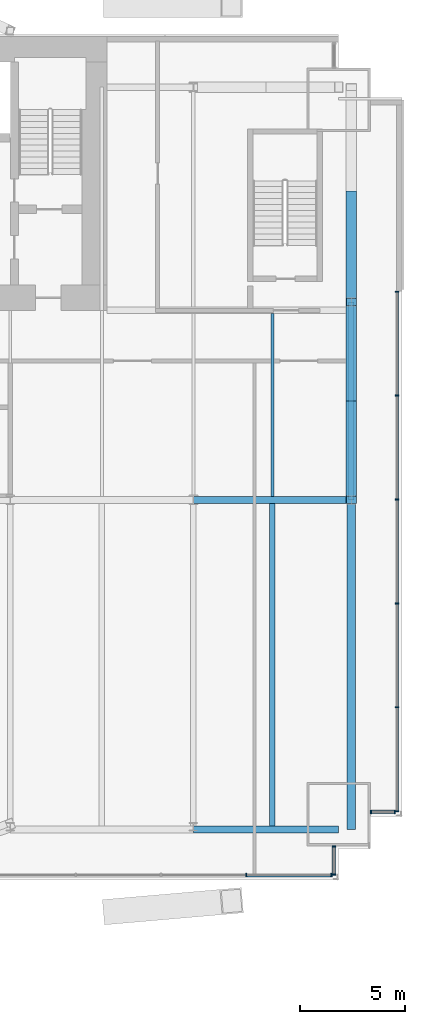
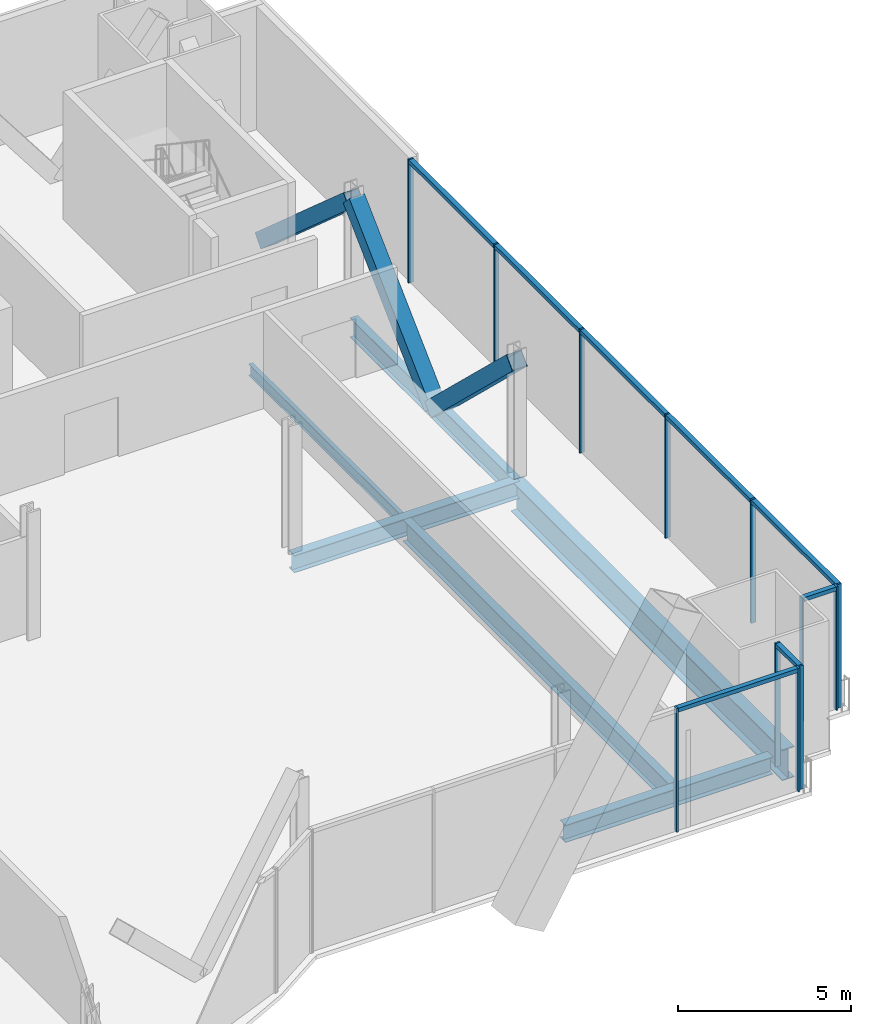
# One storey, part 13 of 22: 23 members, 6 beams, 4 elements without a shape of their own.
"""IFC4 building model written with IfcOpenShell, lengths in metres."""

import ifcopenshell
import ifcopenshell.guid

model = None  # the IFC model being written
_history = None  # IfcOwnerHistory: only IFC2X3 demands one
_inside = {}  # id of a spatial element -> (the spatial element, [elements in it])
_under = {}  # id of a project, library or spatial element -> (it, [spatial elements below it])
_declared = {}  # id of a project -> (the project, [libraries it declares])
_typed = {}  # id of a type object -> (the type object, [elements of that type])
_made_of = {}  # id of a material, layer set ... -> (it, [elements and type objects made of it])


def new_model(schema):
    """Start an empty IFC model of exactly this schema.

    Asked for "IFC4X3", IfcOpenShell would pick the latest addendum, in which some entities
    have other attributes; the version numbers below select the first issue.
    IFC2X3 requires an IfcOwnerHistory on every rooted entity: one is made here for all.
    """
    global model, _history
    if schema == "IFC4X3":
        model = ifcopenshell.file(schema_version=(4, 3, 0, 0))
    else:
        model = ifcopenshell.file(schema=schema)
    _inside.clear()
    _under.clear()
    _declared.clear()
    _typed.clear()
    _made_of.clear()
    _history = None
    if model.schema == "IFC2X3":
        org = make("IfcOrganization", Name="unknown")
        user = make(
            "IfcPersonAndOrganization",
            ThePerson=make("IfcPerson", FamilyName="unknown"),
            TheOrganization=org,
        )
        app = make(
            "IfcApplication",
            ApplicationDeveloper=org,
            Version="unknown",
            ApplicationFullName="unknown",
            ApplicationIdentifier="unknown",
        )
        _history = make(
            "IfcOwnerHistory",
            OwningUser=user,
            OwningApplication=app,
            ChangeAction="ADDED",
            CreationDate=0,
        )
    return model


def make(cls, **values):
    """One entity of the class cls with the attributes given. An attribute that is None is left unset."""
    return model.create_entity(
        cls, **{name: value for name, value in values.items() if value is not None}
    )


def rooted(cls, **values):
    """An entity with a GlobalId (a new one), such as an element, a storey or a relation."""
    return make(cls, GlobalId=ifcopenshell.guid.new(), OwnerHistory=_history, **values)


def si_unit(unit_type, name, prefix=None):
    """IfcSIUnit, for example si_unit("LENGTHUNIT", "METRE", prefix="MILLI")."""
    return make("IfcSIUnit", UnitType=unit_type, Prefix=prefix, Name=name)


def assignment(units):
    """IfcUnitAssignment: the units of a project."""
    return None if units is None else make("IfcUnitAssignment", Units=units)


def point(xyz):
    """IfcCartesianPoint."""
    return None if xyz is None else make("IfcCartesianPoint", Coordinates=xyz)


def direction(xyz):
    """IfcDirection."""
    return None if xyz is None else make("IfcDirection", DirectionRatios=xyz)


def frame(location, z_axis=None, x_axis=None):
    """IfcAxis2Placement3D, a coordinate frame: its origin and axes. An axis left out is left unset."""
    return make(
        "IfcAxis2Placement3D",
        Location=point(location),
        Axis=direction(z_axis),
        RefDirection=direction(x_axis),
    )


def frame_2d(location, x_axis=None):
    """IfcAxis2Placement2D, a coordinate frame in the plane: its origin and x axis."""
    return make(
        "IfcAxis2Placement2D", Location=point(location), RefDirection=direction(x_axis)
    )


def origin():
    """The frame at (0, 0, 0) with its axes left unset."""
    return frame((0.0, 0.0, 0.0))


def origin_2d():
    """The frame at (0, 0) in the plane with its x axis left unset."""
    return frame_2d((0.0, 0.0))


def place(relative_to, where):
    """IfcLocalPlacement: puts the frame where relative to a parent placement (None: the world)."""
    return make(
        "IfcLocalPlacement", PlacementRelTo=relative_to, RelativePlacement=where
    )


def context(
    kind, dimensions, precision=None, world=None, true_north=None, identifier=None
):
    """IfcGeometricRepresentationContext, for example the 3D "Model" context."""
    return make(
        "IfcGeometricRepresentationContext",
        ContextIdentifier=identifier,
        ContextType=kind,
        CoordinateSpaceDimension=dimensions,
        Precision=precision,
        WorldCoordinateSystem=world,
        TrueNorth=true_north,
    )


def subcontext(parent, identifier, kind, view, scale=None):
    """IfcGeometricRepresentationSubContext, for example "Body" below "Model"."""
    return make(
        "IfcGeometricRepresentationSubContext",
        ContextIdentifier=identifier,
        ContextType=kind,
        ParentContext=parent,
        TargetScale=scale,
        TargetView=view,
    )


def project(units=None, contexts=None):
    """IfcProject with its units and contexts."""
    return rooted(
        "IfcProject",
        Name="project",
        RepresentationContexts=contexts,
        UnitsInContext=assignment(units),
    )


def spatial(cls, under=None, at=None, **own):
    """A site, building, storey or space (cls), placed at a placement, below another one or the project."""
    s = rooted(cls, ObjectPlacement=at, **own)
    if under is not None:
        _under.setdefault(under.id(), (under, []))[1].append(s)
    return s


def profile(cls, at=None, kind="AREA", **sizes):
    """A parametric profile (cls). Its sizes go by their IFC names, for example OverallWidth=200.0."""
    return make(cls, ProfileType=kind, Position=at, **sizes)


def rectangle(**sizes):
    """IfcRectangleProfileDef."""
    return profile("IfcRectangleProfileDef", **sizes)


def hollow_rectangle(**sizes):
    """IfcRectangleHollowProfileDef."""
    return profile("IfcRectangleHollowProfileDef", **sizes)


def i_section(**sizes):
    """IfcIShapeProfileDef."""
    return profile("IfcIShapeProfileDef", **sizes)


def extrude(swept, where, along, depth):
    """IfcExtrudedAreaSolid: the profile swept, set in the frame where, extruded along a direction by depth."""
    return make(
        "IfcExtrudedAreaSolid",
        SweptArea=swept,
        Position=where,
        ExtrudedDirection=direction(along),
        Depth=depth,
    )


def shape(context_of_items, identifier, shape_type, items):
    """IfcShapeRepresentation: the items that make up one representation, for example the "Body"."""
    return make(
        "IfcShapeRepresentation",
        ContextOfItems=context_of_items,
        RepresentationIdentifier=identifier,
        RepresentationType=shape_type,
        Items=items,
    )


def material(Name=None, Category=None):
    """IfcMaterial."""
    return make("IfcMaterial", Name=Name, Category=Category)


def material_profile(
    of_material, cross_section, Name=None, Category=None, Priority=None
):
    """IfcMaterialProfile: a cross section and its material."""
    return make(
        "IfcMaterialProfile",
        Name=Name,
        Material=of_material,
        Profile=cross_section,
        Priority=Priority,
        Category=Category,
    )


def profile_set(profiles, Name=None, composite=None):
    """IfcMaterialProfileSet."""
    return make(
        "IfcMaterialProfileSet",
        Name=Name,
        MaterialProfiles=profiles,
        CompositeProfile=composite,
    )


def made_of(thing, what):
    """Note that an element or type object is made of a material, layer set ...; save() writes the relation."""
    if what is not None:
        _made_of.setdefault(what.id(), (what, []))[1].append(thing)
    return thing


def type_object(cls, material=None, **own):
    """A type object (cls), such as IfcWallType, which elements share."""
    return made_of(rooted(cls, **own), material)


def element(
    cls,
    number,
    at=None,
    inside=None,
    cuts=None,
    type_object=None,
    material=None,
    context=None,
    identifier="Body",
    shape_type=None,
    held_by="IfcProductDefinitionShape",
    body=None,
    shapes=None,
    **own,
):
    """One element of the class cls, such as IfcWall. Its Tag is "e" and its number.

    at: its placement. inside: the storey or other place that contains it. cuts: it is an
    opening in that element (IfcRelVoidsElement). A single representation is given by context,
    identifier, shape_type and body (its items); several are given by shapes. held_by: the class
    of the entity that holds the representations. save() writes the other relations.
    """
    e = rooted(cls, Tag="e%d" % number, ObjectPlacement=at, **own)
    if body is not None:
        shapes = [shape(context, identifier, shape_type, body)]
    if shapes is not None:
        e.Representation = make(held_by, Representations=shapes)
    if inside is not None:
        _inside.setdefault(inside.id(), (inside, []))[1].append(e)
    if cuts is not None:
        rooted(
            "IfcRelVoidsElement", RelatingBuildingElement=cuts, RelatedOpeningElement=e
        )
    if type_object is not None:
        _typed.setdefault(type_object.id(), (type_object, []))[1].append(e)
    return made_of(e, material)


def aggregate(whole, parts):
    """IfcRelAggregates: a whole, such as a stair, and the parts it consists of."""
    return rooted("IfcRelAggregates", RelatingObject=whole, RelatedObjects=parts)


def save(model, path):
    """Write the relations noted so far, then the file.

    IfcRelAggregates (storeys below a building ...), IfcRelContainedInSpatialStructure (elements
    in a storey), IfcRelDefinesByType, IfcRelAssociatesMaterial and IfcRelDeclares: one each for
    every whole, place, type object, material and project.
    """
    for whole, parts in _under.values():
        aggregate(whole, parts)
    for where, things in _inside.values():
        rooted(
            "IfcRelContainedInSpatialStructure",
            RelatedElements=things,
            RelatingStructure=where,
        )
    for kind, things in _typed.values():
        rooted("IfcRelDefinesByType", RelatedObjects=things, RelatingType=kind)
    for what, things in _made_of.values():
        rooted("IfcRelAssociatesMaterial", RelatedObjects=things, RelatingMaterial=what)
    for by, libraries in _declared.values():
        rooted("IfcRelDeclares", RelatingContext=by, RelatedDefinitions=libraries)
    model.write(path)


model = new_model("IFC4")

# Units and contexts
model_context = context("Model", 3, precision=1e-05, world=origin(), true_north=direction((0.0, 1.0)))
body_context = subcontext(model_context, "Body", "Model", "MODEL_VIEW")
ifc_project = project(units=[si_unit("LENGTHUNIT", "METRE"), si_unit("AREAUNIT", "SQUARE_METRE"), si_unit("VOLUMEUNIT", "CUBIC_METRE"), si_unit("PLANEANGLEUNIT", "RADIAN"), si_unit("MASSUNIT", "GRAM", prefix="KILO")], contexts=[model_context])

# Site, building, storey
site_placement = place(None, origin())
site = spatial("IfcSite", under=ifc_project, at=site_placement, CompositionType="ELEMENT")
building_placement = place(site_placement, origin())
building = spatial("IfcBuilding", under=site, at=building_placement, Name="Bicima Exchange Tower", CompositionType="ELEMENT")
storey_placement = place(building_placement, frame((0.0, 0.0, 71.0)))
storey = spatial("IfcBuildingStorey", under=building, at=storey_placement, Name="L14", CompositionType="ELEMENT", Elevation=71.0)

# Curtain wall, members
ifc_material_1 = material(Name="Anodised bronze aluminium", Category="aluminium")
curtain_wall_type_1 = type_object("IfcCurtainWallType", Name="End face glass wall", PredefinedType="NOTDEFINED", material=ifc_material_1)
curtain_wall_1_placement = place(storey_placement, origin())
curtain_wall_1 = element("IfcCurtainWall", 1, at=curtain_wall_1_placement, inside=storey, type_object=curtain_wall_type_1, Name="End face glass wall L14 run 19", PredefinedType="NOTDEFINED")
ifc_material_profile_1 = material_profile(ifc_material_1, rectangle(XDim=0.159912109375, YDim=0.06005859375, at=origin_2d()))
ifc_profile_set_1 = profile_set([ifc_material_profile_1], Name="Anodised bronze aluminium")
member_type_1 = type_object("IfcMemberType", Name="End face glass wall mullion 60 x 160", PredefinedType="MULLION", material=ifc_profile_set_1)
member_1_placement = place(storey_placement, frame((35.77001953125, -36.7880859375, 0.0), z_axis=(0.0, 0.0, 1.0), x_axis=(-1.0, 0.0, 0.0)))
member_1 = element("IfcMember", 2, at=member_1_placement, type_object=member_type_1, Name="End face glass wall mullion 1", PredefinedType="MULLION", context=body_context, shape_type="SweptSolid", body=[
    extrude(rectangle(XDim=0.159912109375, YDim=0.06005859375, at=origin_2d()), origin(), (0.0, 0.0, 1.0), 4.35009765625),
])
member_2_placement = place(storey_placement, frame((35.77001953125, -31.852294921875, 0.0), z_axis=(0.0, 0.0, 1.0), x_axis=(-1.0, 0.0, 0.0)))
member_2 = element("IfcMember", 3, at=member_2_placement, type_object=member_type_1, Name="End face glass wall mullion 2", PredefinedType="MULLION", context=body_context, shape_type="SweptSolid", body=[
    extrude(rectangle(XDim=0.159912109375, YDim=0.06005859375, at=origin_2d()), origin(), (0.0, 0.0, 1.0), 4.35009765625),
])
member_3_placement = place(storey_placement, frame((35.77001953125, -26.916748046875, 0.0), z_axis=(0.0, 0.0, 1.0), x_axis=(-1.0, 0.0, 0.0)))
member_3 = element("IfcMember", 4, at=member_3_placement, type_object=member_type_1, Name="End face glass wall mullion 3", PredefinedType="MULLION", context=body_context, shape_type="SweptSolid", body=[
    extrude(rectangle(XDim=0.159912109375, YDim=0.06005859375, at=origin_2d()), origin(), (0.0, 0.0, 1.0), 4.35009765625),
])
member_4_placement = place(storey_placement, frame((35.77001953125, -21.981201171875, 0.0), z_axis=(0.0, 0.0, 1.0), x_axis=(-1.0, 0.0, 0.0)))
member_4 = element("IfcMember", 5, at=member_4_placement, type_object=member_type_1, Name="End face glass wall mullion 4", PredefinedType="MULLION", context=body_context, shape_type="SweptSolid", body=[
    extrude(rectangle(XDim=0.159912109375, YDim=0.06005859375, at=origin_2d()), origin(), (0.0, 0.0, 1.0), 4.35009765625),
])
member_5_placement = place(storey_placement, frame((35.77001953125, -17.045654296875, 0.0), z_axis=(0.0, 0.0, 1.0), x_axis=(-1.0, 0.0, 0.0)))
member_5 = element("IfcMember", 6, at=member_5_placement, type_object=member_type_1, Name="End face glass wall mullion 5", PredefinedType="MULLION", context=body_context, shape_type="SweptSolid", body=[
    extrude(rectangle(XDim=0.159912109375, YDim=0.06005859375, at=origin_2d()), origin(), (0.0, 0.0, 1.0), 4.35009765625),
])
member_6_placement = place(storey_placement, frame((35.77001953125, -12.110107421875, 0.0), z_axis=(0.0, 0.0, 1.0), x_axis=(-1.0, 0.0, 0.0)))
member_6 = element("IfcMember", 7, at=member_6_placement, type_object=member_type_1, Name="End face glass wall mullion 6", PredefinedType="MULLION", context=body_context, shape_type="SweptSolid", body=[
    extrude(rectangle(XDim=0.159912109375, YDim=0.06005859375, at=origin_2d()), origin(), (0.0, 0.0, 1.0), 4.35009765625),
])
ifc_material_profile_2 = material_profile(ifc_material_1, rectangle(XDim=0.159912109375, YDim=0.139892578125, at=origin_2d()))
ifc_profile_set_2 = profile_set([ifc_material_profile_2], Name="Anodised bronze aluminium")
member_type_2 = type_object("IfcMemberType", Name="End face glass wall transom 140 x 160", PredefinedType="USERDEFINED", material=ifc_profile_set_2)
member_7_placement = place(storey_placement, frame((35.77001953125, -36.758056640625, 4.280029296875), z_axis=(0.0, 1.0, 0.0), x_axis=(-1.0, 0.0, 0.0)))
member_7 = element("IfcMember", 8, at=member_7_placement, type_object=member_type_2, Name="End face glass wall transom 1.1", ObjectType="TRANSOM", PredefinedType="USERDEFINED", context=body_context, shape_type="SweptSolid", body=[
    extrude(rectangle(XDim=0.159912109375, YDim=0.139892578125, at=origin_2d()), origin(), (0.0, 0.0, 1.0), 4.875732421875),
])
member_8_placement = place(storey_placement, frame((35.77001953125, -31.822509765625, 4.280029296875), z_axis=(0.0, 1.0, 0.0), x_axis=(-1.0, 0.0, 0.0)))
member_8 = element("IfcMember", 9, at=member_8_placement, type_object=member_type_2, Name="End face glass wall transom 2.1", ObjectType="TRANSOM", PredefinedType="USERDEFINED", context=body_context, shape_type="SweptSolid", body=[
    extrude(rectangle(XDim=0.159912109375, YDim=0.139892578125, at=origin_2d()), origin(), (0.0, 0.0, 1.0), 4.875732421875),
])
member_9_placement = place(storey_placement, frame((35.77001953125, -26.88671875, 4.280029296875), z_axis=(0.0, 1.0, 0.0), x_axis=(-1.0, 0.0, 0.0)))
member_9 = element("IfcMember", 10, at=member_9_placement, type_object=member_type_2, Name="End face glass wall transom 3.1", ObjectType="TRANSOM", PredefinedType="USERDEFINED", context=body_context, shape_type="SweptSolid", body=[
    extrude(rectangle(XDim=0.159912109375, YDim=0.139892578125, at=origin_2d()), origin(), (0.0, 0.0, 1.0), 4.87548828125),
])
member_10_placement = place(storey_placement, frame((35.77001953125, -21.951171875, 4.280029296875), z_axis=(0.0, 1.0, 0.0), x_axis=(-1.0, 0.0, 0.0)))
member_10 = element("IfcMember", 11, at=member_10_placement, type_object=member_type_2, Name="End face glass wall transom 4.1", ObjectType="TRANSOM", PredefinedType="USERDEFINED", context=body_context, shape_type="SweptSolid", body=[
    extrude(rectangle(XDim=0.159912109375, YDim=0.139892578125, at=origin_2d()), origin(), (0.0, 0.0, 1.0), 4.87548828125),
])
member_11_placement = place(storey_placement, frame((35.77001953125, -17.015625, 4.280029296875), z_axis=(0.0, 1.0, 0.0), x_axis=(-1.0, 0.0, 0.0)))
member_11 = element("IfcMember", 12, at=member_11_placement, type_object=member_type_2, Name="End face glass wall transom 5.1", ObjectType="TRANSOM", PredefinedType="USERDEFINED", context=body_context, shape_type="SweptSolid", body=[
    extrude(rectangle(XDim=0.159912109375, YDim=0.139892578125, at=origin_2d()), origin(), (0.0, 0.0, 1.0), 4.875732421875),
])
aggregate(curtain_wall_1, [member_1, member_2, member_3, member_4, member_5, member_6, member_7, member_8, member_9, member_10, member_11])

# Beams
ifc_material_2 = material(Name="Steel ASTM A992 Gr 50", Category="steel")
ifc_material_profile_3 = material_profile(ifc_material_2, i_section(OverallWidth=0.256591796875, OverallDepth=0.693359375, WebThickness=0.014404296875, FlangeThickness=0.023681640625, at=origin_2d()))
ifc_profile_set_3 = profile_set([ifc_material_profile_3], Name="Steel ASTM A992 Gr 50")
beam_type_1 = type_object("IfcBeamType", Name="End girder W27x114", PredefinedType="BEAM", material=ifc_profile_set_3)
beam_1_placement = place(storey_placement, frame((33.60009765625, -12.60009765625, -0.49658203125), z_axis=(0.0, -1.0, 0.0), x_axis=(1.0, 0.0, 0.0)))
element("IfcBeam", 13, at=beam_1_placement, inside=storey, type_object=beam_type_1, Name="End girder", PredefinedType="BEAM", context=body_context, shape_type="SweptSolid", body=[
    extrude(i_section(OverallWidth=0.256591796875, OverallDepth=0.693359375, WebThickness=0.014404296875, FlangeThickness=0.023681640625, at=origin_2d()), origin(), (0.0, 0.0, 1.0), 9.39990234375),
])
ifc_material_profile_4 = material_profile(ifc_material_2, i_section(OverallWidth=0.4013671875, OverallDepth=1.089599609375, WebThickness=0.01806640625, FlangeThickness=0.031005859375, at=origin_2d()))
ifc_profile_set_4 = profile_set([ifc_material_profile_4], Name="Steel ASTM A992 Gr 50")
beam_type_2 = type_object("IfcBeamType", Name="End girder W44x230", PredefinedType="BEAM", material=ifc_profile_set_4)
beam_2_placement = place(storey_placement, frame((33.60009765625, -22.0, -0.69482421875), z_axis=(0.0, -1.0, 0.0), x_axis=(1.0, 0.0, 0.0)))
element("IfcBeam", 14, at=beam_2_placement, inside=storey, type_object=beam_type_2, Name="End girder", PredefinedType="BEAM", context=body_context, shape_type="SweptSolid", body=[
    extrude(i_section(OverallWidth=0.4013671875, OverallDepth=1.089599609375, WebThickness=0.01806640625, FlangeThickness=0.031005859375, at=origin_2d()), origin(), (0.0, 0.0, 1.0), 15.64794921875),
])
ifc_material_profile_5 = material_profile(ifc_material_2, i_section(OverallWidth=0.140380859375, OverallDepth=0.40380859375, WebThickness=0.007080078125, FlangeThickness=0.01123046875, at=origin_2d()))
ifc_profile_set_5 = profile_set([ifc_material_profile_5], Name="Steel ASTM A992 Gr 50")
beam_type_3 = type_object("IfcBeamType", Name="Floor beam W16x31", PredefinedType="JOIST", material=ifc_profile_set_5)
beam_3_placement = place(storey_placement, frame((29.85009765625, -13.15234375, -0.351806640625), z_axis=(0.0, -1.0, 0.0), x_axis=(1.0, 0.0, 0.0)))
element("IfcBeam", 15, at=beam_3_placement, inside=storey, type_object=beam_type_3, Name="Floor beam", PredefinedType="JOIST", context=body_context, shape_type="SweptSolid", body=[
    extrude(i_section(OverallWidth=0.140380859375, OverallDepth=0.40380859375, WebThickness=0.007080078125, FlangeThickness=0.01123046875, at=origin_2d()), origin(), (0.0, 0.0, 1.0), 8.68505859375),
])
ifc_material_profile_6 = material_profile(ifc_material_2, i_section(OverallWidth=0.2666015625, OverallDepth=0.75439453125, WebThickness=0.01318359375, FlangeThickness=0.01708984375, at=origin_2d()))
ifc_profile_set_6 = profile_set([ifc_material_profile_6], Name="Steel ASTM A992 Gr 50")
beam_type_4 = type_object("IfcBeamType", Name="Floor beam W30x99", PredefinedType="JOIST", material=ifc_profile_set_6)
beam_4_placement = place(storey_placement, frame((29.85009765625, -22.16259765625, -0.527099609375), z_axis=(0.0, -1.0, 0.0), x_axis=(1.0, 0.0, 0.0)))
element("IfcBeam", 16, at=beam_4_placement, inside=storey, type_object=beam_type_4, Name="Floor beam", PredefinedType="JOIST", context=body_context, shape_type="SweptSolid", body=[
    extrude(i_section(OverallWidth=0.2666015625, OverallDepth=0.75439453125, WebThickness=0.01318359375, FlangeThickness=0.01708984375, at=origin_2d()), origin(), (0.0, 0.0, 1.0), 15.32275390625),
])
ifc_material_profile_7 = material_profile(ifc_material_2, i_section(OverallWidth=0.3251953125, OverallDepth=0.612060546875, WebThickness=0.0126953125, FlangeThickness=0.01904296875, at=origin_2d()))
ifc_profile_set_7 = profile_set([ifc_material_profile_7], Name="Steel ASTM A992 Gr 50")
beam_type_5 = type_object("IfcBeamType", Name="Front girder W24x104", PredefinedType="BEAM", material=ifc_profile_set_7)
beam_5_placement = place(storey_placement, frame((26.10009765625, -37.64794921875, -0.4560546875), z_axis=(1.0, 0.0, 0.0), x_axis=(0.0, 1.0, 0.0)))
element("IfcBeam", 17, at=beam_5_placement, inside=storey, type_object=beam_type_5, Name="Front girder", PredefinedType="BEAM", context=body_context, shape_type="SweptSolid", body=[
    extrude(i_section(OverallWidth=0.3251953125, OverallDepth=0.612060546875, WebThickness=0.0126953125, FlangeThickness=0.01904296875, at=origin_2d()), origin(), (0.0, 0.0, 1.0), 6.89990234375),
])

# Curtain wall, members
curtain_wall_type_2 = type_object("IfcCurtainWallType", Name="Front glass wall", PredefinedType="NOTDEFINED", material=ifc_material_1)
curtain_wall_2_placement = place(storey_placement, origin())
curtain_wall_2 = element("IfcCurtainWall", 18, at=curtain_wall_2_placement, inside=storey, type_object=curtain_wall_type_2, Name="Front glass wall L14 run 16", PredefinedType="NOTDEFINED")
member_type_3 = type_object("IfcMemberType", Name="Front glass wall mullion 60 x 160", PredefinedType="MULLION", material=ifc_profile_set_1)
member_12_placement = place(storey_placement, frame((28.610595703125, -39.818115234375, 0.0), z_axis=(0.0, 0.0, 1.0), x_axis=(0.0, 1.0, 0.0)))
member_12 = element("IfcMember", 19, at=member_12_placement, type_object=member_type_3, Name="Front glass wall mullion 4", PredefinedType="MULLION", context=body_context, shape_type="SweptSolid", body=[
    extrude(rectangle(XDim=0.159912109375, YDim=0.06005859375, at=origin_2d()), origin(), (0.0, 0.0, 1.0), 4.35009765625),
])
member_13_placement = place(storey_placement, frame((32.659912109375, -39.818115234375, 0.0), z_axis=(0.0, 0.0, 1.0), x_axis=(0.0, 1.0, 0.0)))
member_13 = element("IfcMember", 20, at=member_13_placement, type_object=member_type_3, Name="Front glass wall mullion 5", PredefinedType="MULLION", context=body_context, shape_type="SweptSolid", body=[
    extrude(rectangle(XDim=0.159912109375, YDim=0.06005859375, at=origin_2d()), origin(), (0.0, 0.0, 1.0), 4.35009765625),
])

curtain_wall_3_placement = place(storey_placement, origin())
curtain_wall_3 = element("IfcCurtainWall", 21, at=curtain_wall_3_placement, inside=storey, type_object=curtain_wall_type_2, Name="Front glass wall L14 run 17", PredefinedType="NOTDEFINED")
member_14_placement = place(storey_placement, frame((32.77001953125, -39.7880859375, 0.0), z_axis=(0.0, 0.0, 1.0), x_axis=(-1.0, 0.0, 0.0)))
member_14 = element("IfcMember", 22, at=member_14_placement, type_object=member_type_3, Name="Front glass wall mullion 1", PredefinedType="MULLION", context=body_context, shape_type="SweptSolid", body=[
    extrude(rectangle(XDim=0.159912109375, YDim=0.06005859375, at=origin_2d()), origin(), (0.0, 0.0, 1.0), 4.35009765625),
])
member_15_placement = place(storey_placement, frame((32.77001953125, -38.4560546875, 0.0), z_axis=(0.0, 0.0, 1.0), x_axis=(-1.0, 0.0, 0.0)))
member_15 = element("IfcMember", 23, at=member_15_placement, type_object=member_type_3, Name="Front glass wall mullion 2", PredefinedType="MULLION", context=body_context, shape_type="SweptSolid", body=[
    extrude(rectangle(XDim=0.159912109375, YDim=0.06005859375, at=origin_2d()), origin(), (0.0, 0.0, 1.0), 4.35009765625),
])

curtain_wall_4_placement = place(storey_placement, origin())
curtain_wall_4 = element("IfcCurtainWall", 24, at=curtain_wall_4_placement, inside=storey, type_object=curtain_wall_type_2, Name="Front glass wall L14 run 18", PredefinedType="NOTDEFINED")
member_16_placement = place(storey_placement, frame((34.530029296875, -36.818115234375, 0.0), z_axis=(0.0, 0.0, 1.0), x_axis=(0.0, 1.0, 0.0)))
member_16 = element("IfcMember", 25, at=member_16_placement, type_object=member_type_3, Name="Front glass wall mullion 1", PredefinedType="MULLION", context=body_context, shape_type="SweptSolid", body=[
    extrude(rectangle(XDim=0.159912109375, YDim=0.06005859375, at=origin_2d()), origin(), (0.0, 0.0, 1.0), 4.35009765625),
])
member_17_placement = place(storey_placement, frame((35.659912109375, -36.818115234375, 0.0), z_axis=(0.0, 0.0, 1.0), x_axis=(0.0, 1.0, 0.0)))
member_17 = element("IfcMember", 26, at=member_17_placement, type_object=member_type_3, Name="Front glass wall mullion 2", PredefinedType="MULLION", context=body_context, shape_type="SweptSolid", body=[
    extrude(rectangle(XDim=0.159912109375, YDim=0.06005859375, at=origin_2d()), origin(), (0.0, 0.0, 1.0), 4.35009765625),
])

# Member
member_type_4 = type_object("IfcMemberType", Name="Front glass wall transom 140 x 160", PredefinedType="USERDEFINED", material=ifc_profile_set_2)
member_18_placement = place(storey_placement, frame((28.640380859375, -39.818115234375, 4.280029296875), z_axis=(1.0, 0.0, 0.0), x_axis=(0.0, 1.0, 0.0)))
member_18 = element("IfcMember", 27, at=member_18_placement, type_object=member_type_4, Name="Front glass wall transom 4.1", ObjectType="TRANSOM", PredefinedType="USERDEFINED", context=body_context, shape_type="SweptSolid", body=[
    extrude(rectangle(XDim=0.159912109375, YDim=0.139892578125, at=origin_2d()), origin(), (0.0, 0.0, 1.0), 3.989501953125),
])

aggregate(curtain_wall_2, [member_12, member_13, member_18])

member_19_placement = place(storey_placement, frame((32.77001953125, -39.758056640625, 4.280029296875), z_axis=(0.0, 1.0, 0.0), x_axis=(-1.0, 0.0, 0.0)))
member_19 = element("IfcMember", 28, at=member_19_placement, type_object=member_type_4, Name="Front glass wall transom 1.1", ObjectType="TRANSOM", PredefinedType="USERDEFINED", context=body_context, shape_type="SweptSolid", body=[
    extrude(rectangle(XDim=0.159912109375, YDim=0.139892578125, at=origin_2d()), origin(), (0.0, 0.0, 1.0), 1.27197265625),
])

aggregate(curtain_wall_3, [member_14, member_15, member_19])

member_20_placement = place(storey_placement, frame((34.56005859375, -36.818115234375, 4.280029296875), z_axis=(1.0, 0.0, 0.0), x_axis=(0.0, 1.0, 0.0)))
member_20 = element("IfcMember", 29, at=member_20_placement, type_object=member_type_4, Name="Front glass wall transom 1.1", ObjectType="TRANSOM", PredefinedType="USERDEFINED", context=body_context, shape_type="SweptSolid", body=[
    extrude(rectangle(XDim=0.159912109375, YDim=0.139892578125, at=origin_2d()), origin(), (0.0, 0.0, 1.0), 1.06982421875),
])

aggregate(curtain_wall_4, [member_16, member_17, member_20])

# Members
ifc_material_3 = material(Name="Steel ASTM A572 Gr 50", Category="steel")
ifc_material_profile_8 = material_profile(ifc_material_3, hollow_rectangle(XDim=0.508056640625, YDim=0.508056640625, WallThickness=0.017822265625, at=origin_2d()))
ifc_profile_set_8 = profile_set([ifc_material_profile_8], Name="Steel ASTM A572 Gr 50")
member_type_5 = type_object("IfcMemberType", Name="Mega brace HSS20x20x3/4", PredefinedType="BRACE", material=ifc_profile_set_8)
member_21_placement = place(storey_placement, frame((33.60009765625, -7.5, -0.49658203125), z_axis=(0.0, -0.749844140428, 0.661614513948), x_axis=(1.0, 0.0, 0.0)))
element("IfcMember", 30, at=member_21_placement, inside=storey, type_object=member_type_5, Name="Mega brace east end", PredefinedType="BRACE", context=body_context, shape_type="SweptSolid", body=[
    extrude(hollow_rectangle(XDim=0.508056640625, YDim=0.508056640625, WallThickness=0.017822265625, at=origin_2d()), origin(), (0.0, 0.0, 1.0), 6.801513671875),
])
for number, where, z_axis, x_axis, name in (
    (31, (33.60009765625, -17.300048828125, -0.49658203125), (0.0, -0.722304421208, 0.691575247608), (1.0, 0.0, 0.0), "Mega brace east end"),
    (32, (33.60009765625, -17.300048828125, -0.49658203125), (0.0, 0.722304421208, 0.691575247608), (-1.0, 0.0, 0.0), "Mega brace east end"),
):
    element("IfcMember", number, at=place(storey_placement, frame(where, z_axis=z_axis, x_axis=x_axis)), inside=storey, type_object=member_type_5, Name=name, PredefinedType="BRACE", context=body_context, shape_type="SweptSolid", body=[
        extrude(hollow_rectangle(XDim=0.508056640625, YDim=0.508056640625, WallThickness=0.017822265625, at=origin_2d()), origin(), (0.0, 0.0, 1.0), 6.5068359375),
    ])

# Beam
beam_type_6 = type_object("IfcBeamType", Name="Row girder W24x104", PredefinedType="BEAM", material=ifc_profile_set_7)
beam_6_placement = place(storey_placement, frame((26.10009765625, -22.0, -0.4560546875), z_axis=(1.0, 0.0, 0.0), x_axis=(0.0, 1.0, 0.0)))
element("IfcBeam", 33, at=beam_6_placement, inside=storey, type_object=beam_type_6, Name="Row girder", PredefinedType="BEAM", context=body_context, shape_type="SweptSolid", body=[
    extrude(i_section(OverallWidth=0.3251953125, OverallDepth=0.612060546875, WebThickness=0.0126953125, FlangeThickness=0.01904296875, at=origin_2d()), origin(), (0.0, 0.0, 1.0), 7.5),
])

save(model, "model.ifc")
